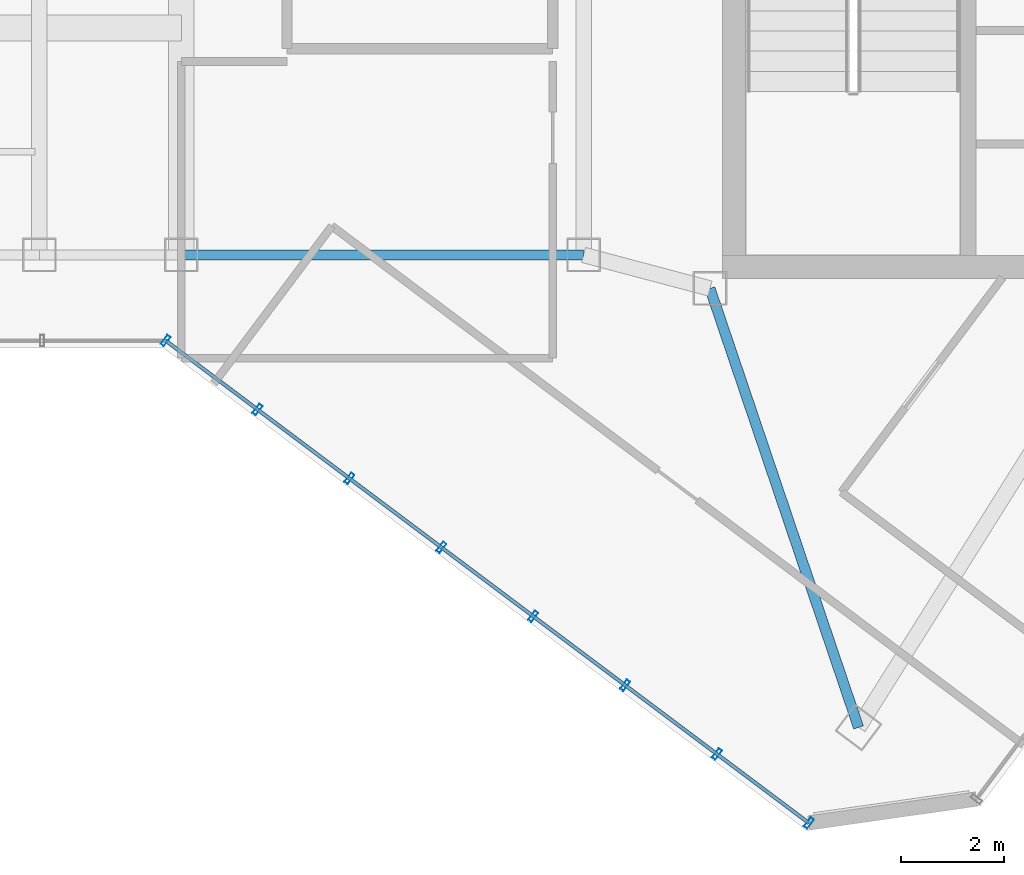
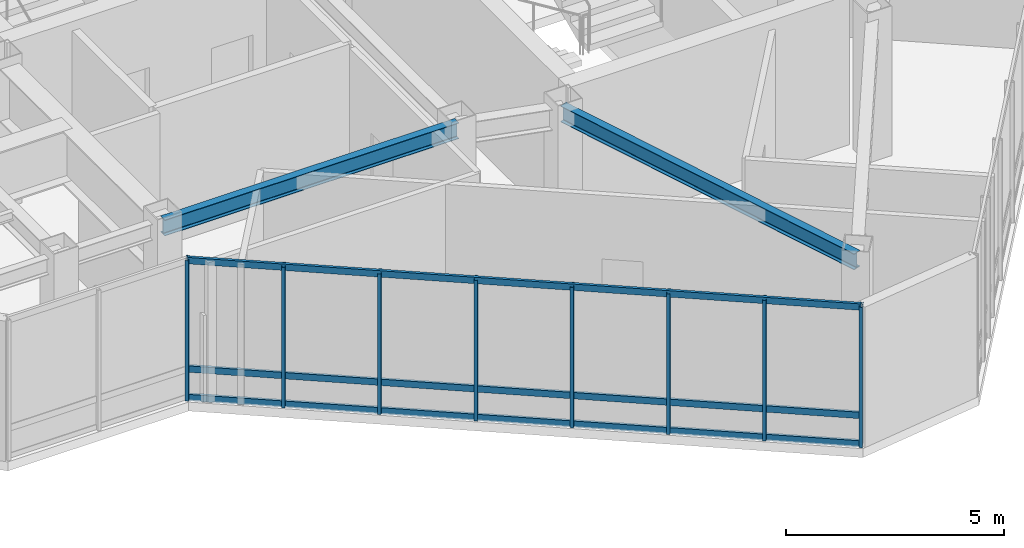
# One storey, part 3 of 22: 11 members, 2 beams, 1 element without a shape of its own.
"""IFC4 building model written with IfcOpenShell, lengths in metres."""

from ifc_helpers import new_model, si_unit, direction, frame, origin, origin_2d, place, context, subcontext, project, spatial, hollow_rectangle, i_section, extrude, material, layer, layer_set, material_profile, profile_set, type_object, element, aggregate, save


model = new_model("IFC4")

# Units and contexts
model_context = context("Model", 3, precision=1e-05, world=origin(), true_north=direction((0.0, 1.0)))
body_context = subcontext(model_context, "Body", "Model", "MODEL_VIEW")
ifc_project = project(units=[si_unit("LENGTHUNIT", "METRE"), si_unit("AREAUNIT", "SQUARE_METRE"), si_unit("VOLUMEUNIT", "CUBIC_METRE"), si_unit("PLANEANGLEUNIT", "RADIAN"), si_unit("MASSUNIT", "GRAM", prefix="KILO")], contexts=[model_context])

# Site, building, storey
site_placement = place(None, origin())
site = spatial("IfcSite", under=ifc_project, at=site_placement, CompositionType="ELEMENT")
building_placement = place(site_placement, origin())
building = spatial("IfcBuilding", under=site, at=building_placement, Name="Hatsunagi Terrace Concourse", CompositionType="ELEMENT")
storey_placement = place(building_placement, frame((0.0, 0.0, 261.75)))
storey = spatial("IfcBuildingStorey", under=building, at=storey_placement, Name="L69", CompositionType="ELEMENT", Elevation=261.75)

# Curtain wall, members
ifc_material_1 = material(Name="Anodised Aluminium Alloy 6063-T5", Category="aluminium")
ifc_layer = layer(ifc_material_1, 0.199951171875)
ifc_layer_set = layer_set([ifc_layer], Name="SkyLobbyAtrium_CW05")
curtain_wall_type = type_object("IfcCurtainWallType", Name="SkyLobbyAtrium_CW05", PredefinedType="NOTDEFINED", material=ifc_layer_set)
curtain_wall_placement = place(storey_placement, origin())
curtain_wall = element("IfcCurtainWall", 1, at=curtain_wall_placement, inside=storey, type_object=curtain_wall_type, Name="Unitised Curtain Wall CW-05 CW-L69-10", PredefinedType="NOTDEFINED")
ifc_material_2 = material(Name="Anodised Aluminium Alloy 6063-T5", Category="aluminium")
ifc_material_profile_1 = material_profile(ifc_material_2, hollow_rectangle(XDim=0.080078125, YDim=0.219970703125, WallThickness=0.0048828125, at=origin_2d()), Name="ALU-MUL-220x80x5")
ifc_profile_set_1 = profile_set([ifc_material_profile_1], Name="Anodised Aluminium Alloy 6063-T5")
member_type_1 = type_object("IfcMemberType", Name="CurtainWallMullion_Heavy_220x80", PredefinedType="MULLION", material=ifc_profile_set_1)
member_1_placement = place(storey_placement, frame((37.718017578125, 14.18701171875, 0.0), z_axis=(0.0, 0.0, 1.0), x_axis=(-0.800007305671, 0.599990258982, 0.0)))
member_1 = element("IfcMember", 2, at=member_1_placement, type_object=member_type_1, Name="Curtain Wall Mullion MUL-01", PredefinedType="MULLION", context=body_context, shape_type="SweptSolid", body=[
    extrude(hollow_rectangle(XDim=0.080078125, YDim=0.219970703125, WallThickness=0.0048828125, at=origin_2d()), origin(), (0.0, 0.0, 1.0), 3.93994140625),
])
member_2_placement = place(storey_placement, frame((35.93603515625, 15.52294921875, 0.0), z_axis=(0.0, 0.0, 1.0), x_axis=(-0.800007305671, 0.599990258982, 0.0)))
member_2 = element("IfcMember", 3, at=member_2_placement, type_object=member_type_1, Name="Curtain Wall Mullion MUL-01", PredefinedType="MULLION", context=body_context, shape_type="SweptSolid", body=[
    extrude(hollow_rectangle(XDim=0.080078125, YDim=0.219970703125, WallThickness=0.0048828125, at=origin_2d()), origin(), (0.0, 0.0, 1.0), 3.93994140625),
])
member_3_placement = place(storey_placement, frame((34.155029296875, 16.85888671875, 0.0), z_axis=(0.0, 0.0, 1.0), x_axis=(-0.800007305671, 0.599990258982, 0.0)))
member_3 = element("IfcMember", 4, at=member_3_placement, type_object=member_type_1, Name="Curtain Wall Mullion MUL-01", PredefinedType="MULLION", context=body_context, shape_type="SweptSolid", body=[
    extrude(hollow_rectangle(XDim=0.080078125, YDim=0.219970703125, WallThickness=0.0048828125, at=origin_2d()), origin(), (0.0, 0.0, 1.0), 3.93994140625),
])
member_4_placement = place(storey_placement, frame((32.373046875, 18.195068359375, 0.0), z_axis=(0.0, 0.0, 1.0), x_axis=(-0.800007305671, 0.599990258982, 0.0)))
member_4 = element("IfcMember", 5, at=member_4_placement, type_object=member_type_1, Name="Curtain Wall Mullion MUL-01", PredefinedType="MULLION", context=body_context, shape_type="SweptSolid", body=[
    extrude(hollow_rectangle(XDim=0.080078125, YDim=0.219970703125, WallThickness=0.0048828125, at=origin_2d()), origin(), (0.0, 0.0, 1.0), 3.93994140625),
])
member_5_placement = place(storey_placement, frame((30.592041015625, 19.531982421875, 0.0), z_axis=(0.0, 0.0, 1.0), x_axis=(-0.800007305671, 0.599990258982, 0.0)))
member_5 = element("IfcMember", 6, at=member_5_placement, type_object=member_type_1, Name="Curtain Wall Mullion MUL-01", PredefinedType="MULLION", context=body_context, shape_type="SweptSolid", body=[
    extrude(hollow_rectangle(XDim=0.080078125, YDim=0.219970703125, WallThickness=0.0048828125, at=origin_2d()), origin(), (0.0, 0.0, 1.0), 3.93994140625),
])
member_6_placement = place(storey_placement, frame((28.81005859375, 20.867919921875, 0.0), z_axis=(0.0, 0.0, 1.0), x_axis=(-0.800007305671, 0.599990258982, 0.0)))
member_6 = element("IfcMember", 7, at=member_6_placement, type_object=member_type_1, Name="Curtain Wall Mullion MUL-01", PredefinedType="MULLION", context=body_context, shape_type="SweptSolid", body=[
    extrude(hollow_rectangle(XDim=0.080078125, YDim=0.219970703125, WallThickness=0.0048828125, at=origin_2d()), origin(), (0.0, 0.0, 1.0), 3.93994140625),
])
member_7_placement = place(storey_placement, frame((27.029052734375, 22.2041015625, 0.0), z_axis=(0.0, 0.0, 1.0), x_axis=(-0.800007305671, 0.599990258982, 0.0)))
member_7 = element("IfcMember", 8, at=member_7_placement, type_object=member_type_1, Name="Curtain Wall Mullion MUL-01", PredefinedType="MULLION", context=body_context, shape_type="SweptSolid", body=[
    extrude(hollow_rectangle(XDim=0.080078125, YDim=0.219970703125, WallThickness=0.0048828125, at=origin_2d()), origin(), (0.0, 0.0, 1.0), 3.93994140625),
])
member_8_placement = place(storey_placement, frame((25.2470703125, 23.5400390625, 0.0), z_axis=(0.0, 0.0, 1.0), x_axis=(-0.800007305671, 0.599990258982, 0.0)))
member_8 = element("IfcMember", 9, at=member_8_placement, type_object=member_type_1, Name="Curtain Wall Mullion MUL-01", PredefinedType="MULLION", context=body_context, shape_type="SweptSolid", body=[
    extrude(hollow_rectangle(XDim=0.080078125, YDim=0.219970703125, WallThickness=0.0048828125, at=origin_2d()), origin(), (0.0, 0.0, 1.0), 3.93994140625),
])
ifc_material_3 = material(Name="Anodised Aluminium Alloy 6063-T5", Category="aluminium")
ifc_material_profile_2 = material_profile(ifc_material_3, hollow_rectangle(XDim=0.070068359375, YDim=0.179931640625, WallThickness=0.00390625, at=origin_2d()), Name="ALU-TRN-180x70x4")
ifc_profile_set_2 = profile_set([ifc_material_profile_2], Name="Anodised Aluminium Alloy 6063-T5")
member_type_2 = type_object("IfcMemberType", Name="CurtainWallTransom_Heavy_180x70", PredefinedType="USERDEFINED", material=ifc_profile_set_2)
member_9_placement = place(storey_placement, frame((37.718017578125, 14.18701171875, 0.050048828125), z_axis=(-0.800005638109, 0.599992482448, 0.0), x_axis=(-0.599992482448, -0.800005638109, 0.0)))
member_9 = element("IfcMember", 10, at=member_9_placement, type_object=member_type_2, Name="Curtain Wall Transom TRN-01", ObjectType="TRANSOM", PredefinedType="USERDEFINED", context=body_context, shape_type="SweptSolid", body=[
    extrude(hollow_rectangle(XDim=0.070068359375, YDim=0.179931640625, WallThickness=0.00390625, at=origin_2d()), origin(), (0.0, 0.0, 1.0), 15.588623046875),
])
member_10_placement = place(storey_placement, frame((37.718017578125, 14.18701171875, 0.85009765625), z_axis=(-0.800005638109, 0.599992482448, 0.0), x_axis=(-0.599992482448, -0.800005638109, 0.0)))
member_10 = element("IfcMember", 11, at=member_10_placement, type_object=member_type_2, Name="Curtain Wall Transom TRN-01", ObjectType="TRANSOM", PredefinedType="USERDEFINED", context=body_context, shape_type="SweptSolid", body=[
    extrude(hollow_rectangle(XDim=0.070068359375, YDim=0.179931640625, WallThickness=0.00390625, at=origin_2d()), origin(), (0.0, 0.0, 1.0), 15.588623046875),
])
member_11_placement = place(storey_placement, frame((37.718017578125, 14.18701171875, 3.889892578125), z_axis=(-0.800005638109, 0.599992482448, 0.0), x_axis=(-0.599992482448, -0.800005638109, 0.0)))
member_11 = element("IfcMember", 12, at=member_11_placement, type_object=member_type_2, Name="Curtain Wall Transom TRN-01", ObjectType="TRANSOM", PredefinedType="USERDEFINED", context=body_context, shape_type="SweptSolid", body=[
    extrude(hollow_rectangle(XDim=0.070068359375, YDim=0.179931640625, WallThickness=0.00390625, at=origin_2d()), origin(), (0.0, 0.0, 1.0), 15.588623046875),
])
aggregate(curtain_wall, [member_1, member_2, member_3, member_4, member_5, member_6, member_7, member_8, member_9, member_10, member_11])

# Beams
ifc_material_4 = material(Name="Steel SN490B", Category="steel")
ifc_material_profile_3 = material_profile(ifc_material_4, i_section(OverallWidth=0.199951171875, OverallDepth=0.449951171875, WebThickness=0.009033203125, FlangeThickness=0.013916015625, FilletRadius=0.01611328125, at=origin_2d()), Name="H-450x200x9x14")
ifc_profile_set_3 = profile_set([ifc_material_profile_3], Name="Steel SN490B")
beam_type = type_object("IfcBeamType", Name="PerimeterSpandrel_H_450x200", PredefinedType="SPANDREL", material=ifc_profile_set_3)
beam_1_placement = place(storey_placement, frame((25.550048828125, 25.199951171875, 3.72509765625), z_axis=(1.0, 0.0, 0.0), x_axis=(0.0, 1.0, 0.0)))
element("IfcBeam", 13, at=beam_1_placement, inside=storey, type_object=beam_type, Name="Beam SP-02 BM-L69-WS-25", PredefinedType="SPANDREL", context=body_context, shape_type="SweptSolid", body=[
    extrude(i_section(OverallWidth=0.199951171875, OverallDepth=0.449951171875, WebThickness=0.009033203125, FlangeThickness=0.013916015625, FilletRadius=0.01611328125, at=origin_2d()), origin(), (0.0, 0.0, 1.0), 7.800048828125),
])
beam_2_placement = place(storey_placement, frame((35.800048828125, 24.550048828125, 3.72509765625), z_axis=(0.320553412271, -0.947230441805, 0.0), x_axis=(0.947230441805, 0.320553412271, 0.0)))
element("IfcBeam", 14, at=beam_2_placement, inside=storey, type_object=beam_type, Name="Beam SP-02 BM-L69-SE-SW0", PredefinedType="SPANDREL", context=body_context, shape_type="SweptSolid", body=[
    extrude(i_section(OverallWidth=0.199951171875, OverallDepth=0.449951171875, WebThickness=0.009033203125, FlangeThickness=0.013916015625, FilletRadius=0.01611328125, at=origin_2d()), origin(), (0.0, 0.0, 1.0), 8.984130859375),
])

save(model, "model.ifc")
